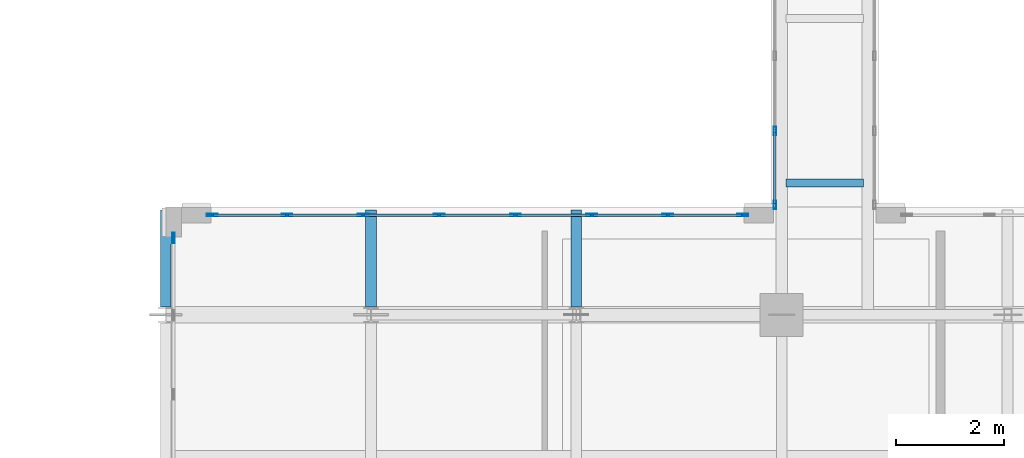
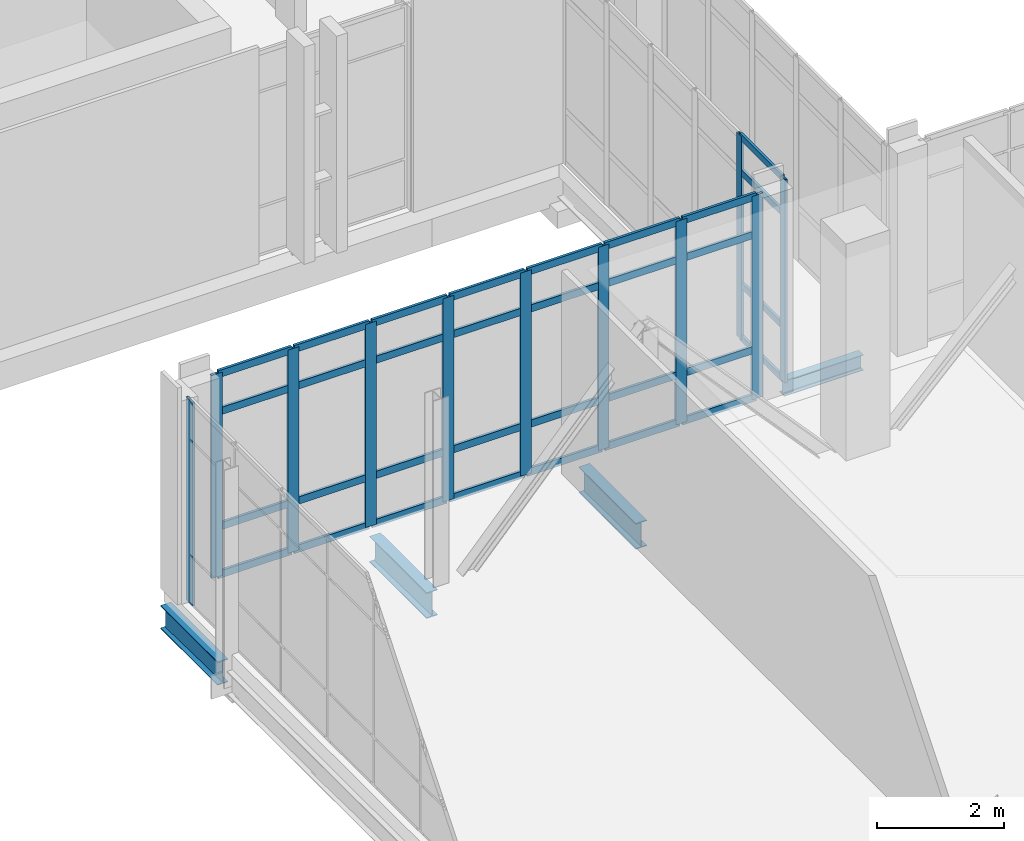
# One storey, part 19 of 165: 43 members, 4 beams, 3 elements without a shape of their own.
"""IFC4 building model written with IfcOpenShell, lengths in metres."""

import ifcopenshell
import ifcopenshell.guid

model = None  # the IFC model being written
_history = None  # IfcOwnerHistory: only IFC2X3 demands one
_inside = {}  # id of a spatial element -> (the spatial element, [elements in it])
_under = {}  # id of a project, library or spatial element -> (it, [spatial elements below it])
_declared = {}  # id of a project -> (the project, [libraries it declares])
_typed = {}  # id of a type object -> (the type object, [elements of that type])
_made_of = {}  # id of a material, layer set ... -> (it, [elements and type objects made of it])


def new_model(schema):
    """Start an empty IFC model of exactly this schema.

    Asked for "IFC4X3", IfcOpenShell would pick the latest addendum, in which some entities
    have other attributes; the version numbers below select the first issue.
    IFC2X3 requires an IfcOwnerHistory on every rooted entity: one is made here for all.
    """
    global model, _history
    if schema == "IFC4X3":
        model = ifcopenshell.file(schema_version=(4, 3, 0, 0))
    else:
        model = ifcopenshell.file(schema=schema)
    _inside.clear()
    _under.clear()
    _declared.clear()
    _typed.clear()
    _made_of.clear()
    _history = None
    if model.schema == "IFC2X3":
        org = make("IfcOrganization", Name="unknown")
        user = make(
            "IfcPersonAndOrganization",
            ThePerson=make("IfcPerson", FamilyName="unknown"),
            TheOrganization=org,
        )
        app = make(
            "IfcApplication",
            ApplicationDeveloper=org,
            Version="unknown",
            ApplicationFullName="unknown",
            ApplicationIdentifier="unknown",
        )
        _history = make(
            "IfcOwnerHistory",
            OwningUser=user,
            OwningApplication=app,
            ChangeAction="ADDED",
            CreationDate=0,
        )
    return model


def make(cls, **values):
    """One entity of the class cls with the attributes given. An attribute that is None is left unset."""
    return model.create_entity(
        cls, **{name: value for name, value in values.items() if value is not None}
    )


def rooted(cls, **values):
    """An entity with a GlobalId (a new one), such as an element, a storey or a relation."""
    return make(cls, GlobalId=ifcopenshell.guid.new(), OwnerHistory=_history, **values)


def si_unit(unit_type, name, prefix=None):
    """IfcSIUnit, for example si_unit("LENGTHUNIT", "METRE", prefix="MILLI")."""
    return make("IfcSIUnit", UnitType=unit_type, Prefix=prefix, Name=name)


def assignment(units):
    """IfcUnitAssignment: the units of a project."""
    return None if units is None else make("IfcUnitAssignment", Units=units)


def point(xyz):
    """IfcCartesianPoint."""
    return None if xyz is None else make("IfcCartesianPoint", Coordinates=xyz)


def direction(xyz):
    """IfcDirection."""
    return None if xyz is None else make("IfcDirection", DirectionRatios=xyz)


def frame(location, z_axis=None, x_axis=None):
    """IfcAxis2Placement3D, a coordinate frame: its origin and axes. An axis left out is left unset."""
    return make(
        "IfcAxis2Placement3D",
        Location=point(location),
        Axis=direction(z_axis),
        RefDirection=direction(x_axis),
    )


def frame_2d(location, x_axis=None):
    """IfcAxis2Placement2D, a coordinate frame in the plane: its origin and x axis."""
    return make(
        "IfcAxis2Placement2D", Location=point(location), RefDirection=direction(x_axis)
    )


def origin():
    """The frame at (0, 0, 0) with its axes left unset."""
    return frame((0.0, 0.0, 0.0))


def origin_2d():
    """The frame at (0, 0) in the plane with its x axis left unset."""
    return frame_2d((0.0, 0.0))


def place(relative_to, where):
    """IfcLocalPlacement: puts the frame where relative to a parent placement (None: the world)."""
    return make(
        "IfcLocalPlacement", PlacementRelTo=relative_to, RelativePlacement=where
    )


def context(
    kind, dimensions, precision=None, world=None, true_north=None, identifier=None
):
    """IfcGeometricRepresentationContext, for example the 3D "Model" context."""
    return make(
        "IfcGeometricRepresentationContext",
        ContextIdentifier=identifier,
        ContextType=kind,
        CoordinateSpaceDimension=dimensions,
        Precision=precision,
        WorldCoordinateSystem=world,
        TrueNorth=true_north,
    )


def subcontext(parent, identifier, kind, view, scale=None):
    """IfcGeometricRepresentationSubContext, for example "Body" below "Model"."""
    return make(
        "IfcGeometricRepresentationSubContext",
        ContextIdentifier=identifier,
        ContextType=kind,
        ParentContext=parent,
        TargetScale=scale,
        TargetView=view,
    )


def project(units=None, contexts=None):
    """IfcProject with its units and contexts."""
    return rooted(
        "IfcProject",
        Name="project",
        RepresentationContexts=contexts,
        UnitsInContext=assignment(units),
    )


def spatial(cls, under=None, at=None, **own):
    """A site, building, storey or space (cls), placed at a placement, below another one or the project."""
    s = rooted(cls, ObjectPlacement=at, **own)
    if under is not None:
        _under.setdefault(under.id(), (under, []))[1].append(s)
    return s


def profile(cls, at=None, kind="AREA", **sizes):
    """A parametric profile (cls). Its sizes go by their IFC names, for example OverallWidth=200.0."""
    return make(cls, ProfileType=kind, Position=at, **sizes)


def hollow_rectangle(**sizes):
    """IfcRectangleHollowProfileDef."""
    return profile("IfcRectangleHollowProfileDef", **sizes)


def i_section(**sizes):
    """IfcIShapeProfileDef."""
    return profile("IfcIShapeProfileDef", **sizes)


def extrude(swept, where, along, depth):
    """IfcExtrudedAreaSolid: the profile swept, set in the frame where, extruded along a direction by depth."""
    return make(
        "IfcExtrudedAreaSolid",
        SweptArea=swept,
        Position=where,
        ExtrudedDirection=direction(along),
        Depth=depth,
    )


def shape(context_of_items, identifier, shape_type, items):
    """IfcShapeRepresentation: the items that make up one representation, for example the "Body"."""
    return make(
        "IfcShapeRepresentation",
        ContextOfItems=context_of_items,
        RepresentationIdentifier=identifier,
        RepresentationType=shape_type,
        Items=items,
    )


def material(Name=None, Category=None):
    """IfcMaterial."""
    return make("IfcMaterial", Name=Name, Category=Category)


def layer(
    of_material, thickness, ventilated=None, Name=None, Category=None, Priority=None
):
    """IfcMaterialLayer: one layer of a wall or slab, of a material (None: an air gap)."""
    return make(
        "IfcMaterialLayer",
        Material=of_material,
        LayerThickness=thickness,
        IsVentilated=ventilated,
        Name=Name,
        Category=Category,
        Priority=Priority,
    )


def layer_set(layers, Name=None):
    """IfcMaterialLayerSet."""
    return make("IfcMaterialLayerSet", MaterialLayers=layers, LayerSetName=Name)


def material_profile(
    of_material, cross_section, Name=None, Category=None, Priority=None
):
    """IfcMaterialProfile: a cross section and its material."""
    return make(
        "IfcMaterialProfile",
        Name=Name,
        Material=of_material,
        Profile=cross_section,
        Priority=Priority,
        Category=Category,
    )


def profile_set(profiles, Name=None, composite=None):
    """IfcMaterialProfileSet."""
    return make(
        "IfcMaterialProfileSet",
        Name=Name,
        MaterialProfiles=profiles,
        CompositeProfile=composite,
    )


def made_of(thing, what):
    """Note that an element or type object is made of a material, layer set ...; save() writes the relation."""
    if what is not None:
        _made_of.setdefault(what.id(), (what, []))[1].append(thing)
    return thing


def type_object(cls, material=None, **own):
    """A type object (cls), such as IfcWallType, which elements share."""
    return made_of(rooted(cls, **own), material)


def element(
    cls,
    number,
    at=None,
    inside=None,
    cuts=None,
    type_object=None,
    material=None,
    context=None,
    identifier="Body",
    shape_type=None,
    held_by="IfcProductDefinitionShape",
    body=None,
    shapes=None,
    **own,
):
    """One element of the class cls, such as IfcWall. Its Tag is "e" and its number.

    at: its placement. inside: the storey or other place that contains it. cuts: it is an
    opening in that element (IfcRelVoidsElement). A single representation is given by context,
    identifier, shape_type and body (its items); several are given by shapes. held_by: the class
    of the entity that holds the representations. save() writes the other relations.
    """
    e = rooted(cls, Tag="e%d" % number, ObjectPlacement=at, **own)
    if body is not None:
        shapes = [shape(context, identifier, shape_type, body)]
    if shapes is not None:
        e.Representation = make(held_by, Representations=shapes)
    if inside is not None:
        _inside.setdefault(inside.id(), (inside, []))[1].append(e)
    if cuts is not None:
        rooted(
            "IfcRelVoidsElement", RelatingBuildingElement=cuts, RelatedOpeningElement=e
        )
    if type_object is not None:
        _typed.setdefault(type_object.id(), (type_object, []))[1].append(e)
    return made_of(e, material)


def aggregate(whole, parts):
    """IfcRelAggregates: a whole, such as a stair, and the parts it consists of."""
    return rooted("IfcRelAggregates", RelatingObject=whole, RelatedObjects=parts)


def save(model, path):
    """Write the relations noted so far, then the file.

    IfcRelAggregates (storeys below a building ...), IfcRelContainedInSpatialStructure (elements
    in a storey), IfcRelDefinesByType, IfcRelAssociatesMaterial and IfcRelDeclares: one each for
    every whole, place, type object, material and project.
    """
    for whole, parts in _under.values():
        aggregate(whole, parts)
    for where, things in _inside.values():
        rooted(
            "IfcRelContainedInSpatialStructure",
            RelatedElements=things,
            RelatingStructure=where,
        )
    for kind, things in _typed.values():
        rooted("IfcRelDefinesByType", RelatedObjects=things, RelatingType=kind)
    for what, things in _made_of.values():
        rooted("IfcRelAssociatesMaterial", RelatedObjects=things, RelatingMaterial=what)
    for by, libraries in _declared.values():
        rooted("IfcRelDeclares", RelatingContext=by, RelatedDefinitions=libraries)
    model.write(path)


model = new_model("IFC4")

# Units and contexts
model_context = context("Model", 3, precision=1e-05, world=origin(), true_north=direction((0.0, 1.0)))
body_context = subcontext(model_context, "Body", "Model", "MODEL_VIEW")
ifc_project = project(units=[si_unit("LENGTHUNIT", "METRE"), si_unit("AREAUNIT", "SQUARE_METRE"), si_unit("VOLUMEUNIT", "CUBIC_METRE"), si_unit("PLANEANGLEUNIT", "RADIAN"), si_unit("MASSUNIT", "GRAM", prefix="KILO")], contexts=[model_context])

# Site, building, storey
site_placement = place(None, origin())
site = spatial("IfcSite", under=ifc_project, at=site_placement, CompositionType="ELEMENT")
building_placement = place(site_placement, origin())
building = spatial("IfcBuilding", under=site, at=building_placement, Name="Qalavern Law Courts", CompositionType="ELEMENT")
storey_placement = place(building_placement, frame((0.0, 0.0, 14.39990234375)))
storey = spatial("IfcBuildingStorey", under=building, at=storey_placement, Name="L03", CompositionType="ELEMENT", Elevation=14.39990234375)

# Curtain wall, members
ifc_material_1 = material(Name="Anodised aluminium and insulated glazing", Category="aluminium")
ifc_layer_1 = layer(ifc_material_1, 0.14990234375)
ifc_layer_set_1 = layer_set([ifc_layer_1], Name="Anodised aluminium and insulated glazing")
curtain_wall_type_1 = type_object("IfcCurtainWallType", Name="ENV-CW-BRG", PredefinedType="USERDEFINED", material=ifc_layer_set_1)
curtain_wall_1_placement = place(storey_placement, origin())
curtain_wall_1 = element("IfcCurtainWall", 1, at=curtain_wall_1_placement, inside=storey, type_object=curtain_wall_type_1, Name="Bridge BR-V1-V3 glazed curtain wall L03-1", ObjectType="UNITISED CURTAIN WALL", PredefinedType="USERDEFINED")
ifc_material_2 = material(Name="Anodised aluminium", Category="aluminium")
ifc_material_profile_1 = material_profile(ifc_material_2, hollow_rectangle(XDim=0.048095703125, YDim=0.159912109375, WallThickness=0.00390625, at=origin_2d()), Name="ALU MULLION 48x160")
ifc_profile_set_1 = profile_set([ifc_material_profile_1], Name="Anodised aluminium")
member_type_1 = type_object("IfcMemberType", Name="ENV-CWM-48x160", PredefinedType="MULLION", material=ifc_profile_set_1)
member_1_placement = place(storey_placement, frame((16.675048828125, 35.416015625, 0.0), z_axis=(0.0, 0.0, 1.0), x_axis=(1.0, 0.0, 0.0)))
member_1 = element("IfcMember", 2, at=member_1_placement, type_object=member_type_1, Name="CW-06 mullion 5", PredefinedType="MULLION", context=body_context, shape_type="SweptSolid", body=[
    extrude(hollow_rectangle(XDim=0.048095703125, YDim=0.159912109375, WallThickness=0.00390625, at=origin_2d()), origin(), (0.0, 0.0, 1.0), 3.920166015625),
])
member_2_placement = place(storey_placement, frame((16.675048828125, 34.0439453125, 0.0), z_axis=(0.0, 0.0, 1.0), x_axis=(1.0, 0.0, 0.0)))
member_2 = element("IfcMember", 3, at=member_2_placement, type_object=member_type_1, Name="CW-06 mullion 6", PredefinedType="MULLION", context=body_context, shape_type="SweptSolid", body=[
    extrude(hollow_rectangle(XDim=0.048095703125, YDim=0.159912109375, WallThickness=0.00390625, at=origin_2d()), origin(), (0.0, 0.0, 1.0), 3.920166015625),
])

ifc_layer_2 = layer(ifc_material_1, 0.199951171875)
ifc_layer_set_2 = layer_set([ifc_layer_2], Name="Anodised aluminium and insulated glazing")
curtain_wall_type_2 = type_object("IfcCurtainWallType", Name="ENV-CW-FOYER", PredefinedType="USERDEFINED", material=ifc_layer_set_2)
curtain_wall_2_placement = place(storey_placement, origin())
curtain_wall_2 = element("IfcCurtainWall", 4, at=curtain_wall_2_placement, inside=storey, type_object=curtain_wall_type_2, Name="V1 unitised curtain wall L03 north 1", ObjectType="UNITISED CURTAIN WALL", PredefinedType="USERDEFINED")
ifc_material_profile_2 = material_profile(ifc_material_2, hollow_rectangle(XDim=0.048095703125, YDim=0.199951171875, WallThickness=0.00439453125, at=origin_2d()), Name="ALU MULLION 48x200")
ifc_profile_set_2 = profile_set([ifc_material_profile_2], Name="Anodised aluminium")
member_type_2 = type_object("IfcMemberType", Name="ENV-CWM-48x200", PredefinedType="MULLION", material=ifc_profile_set_2)
member_3_placement = place(storey_placement, frame((16.075927734375, 33.8525390625, 0.0), z_axis=(0.0, 0.0, 1.0), x_axis=(0.0, -1.0, 0.0)))
member_3 = element("IfcMember", 5, at=member_3_placement, type_object=member_type_2, Name="CW-01 mullion 1", PredefinedType="MULLION", context=body_context, shape_type="SweptSolid", body=[
    extrude(hollow_rectangle(XDim=0.048095703125, YDim=0.199951171875, WallThickness=0.00439453125, at=origin_2d()), origin(), (0.0, 0.0, 1.0), 3.920166015625),
])
member_4_placement = place(storey_placement, frame((14.684326171875, 33.8525390625, 0.0), z_axis=(0.0, 0.0, 1.0), x_axis=(0.0, -1.0, 0.0)))
member_4 = element("IfcMember", 6, at=member_4_placement, type_object=member_type_2, Name="CW-01 mullion 2", PredefinedType="MULLION", context=body_context, shape_type="SweptSolid", body=[
    extrude(hollow_rectangle(XDim=0.048095703125, YDim=0.199951171875, WallThickness=0.00439453125, at=origin_2d()), origin(), (0.0, 0.0, 1.0), 3.920166015625),
])
member_5_placement = place(storey_placement, frame((13.2685546875, 33.8525390625, 0.0), z_axis=(0.0, 0.0, 1.0), x_axis=(0.0, -1.0, 0.0)))
member_5 = element("IfcMember", 7, at=member_5_placement, type_object=member_type_2, Name="CW-01 mullion 3", PredefinedType="MULLION", context=body_context, shape_type="SweptSolid", body=[
    extrude(hollow_rectangle(XDim=0.048095703125, YDim=0.199951171875, WallThickness=0.00439453125, at=origin_2d()), origin(), (0.0, 0.0, 1.0), 3.920166015625),
])
member_6_placement = place(storey_placement, frame((11.852783203125, 33.8525390625, 0.0), z_axis=(0.0, 0.0, 1.0), x_axis=(0.0, -1.0, 0.0)))
member_6 = element("IfcMember", 8, at=member_6_placement, type_object=member_type_2, Name="CW-01 mullion 4", PredefinedType="MULLION", context=body_context, shape_type="SweptSolid", body=[
    extrude(hollow_rectangle(XDim=0.048095703125, YDim=0.199951171875, WallThickness=0.00439453125, at=origin_2d()), origin(), (0.0, 0.0, 1.0), 3.920166015625),
])
member_7_placement = place(storey_placement, frame((10.437255859375, 33.8525390625, 0.0), z_axis=(0.0, 0.0, 1.0), x_axis=(0.0, -1.0, 0.0)))
member_7 = element("IfcMember", 9, at=member_7_placement, type_object=member_type_2, Name="CW-01 mullion 5", PredefinedType="MULLION", context=body_context, shape_type="SweptSolid", body=[
    extrude(hollow_rectangle(XDim=0.048095703125, YDim=0.199951171875, WallThickness=0.00439453125, at=origin_2d()), origin(), (0.0, 0.0, 1.0), 3.920166015625),
])
member_8_placement = place(storey_placement, frame((9.021484375, 33.8525390625, 0.0), z_axis=(0.0, 0.0, 1.0), x_axis=(0.0, -1.0, 0.0)))
member_8 = element("IfcMember", 10, at=member_8_placement, type_object=member_type_2, Name="CW-01 mullion 6", PredefinedType="MULLION", context=body_context, shape_type="SweptSolid", body=[
    extrude(hollow_rectangle(XDim=0.048095703125, YDim=0.199951171875, WallThickness=0.00439453125, at=origin_2d()), origin(), (0.0, 0.0, 1.0), 3.920166015625),
])
member_9_placement = place(storey_placement, frame((7.605712890625, 33.8525390625, 0.0), z_axis=(0.0, 0.0, 1.0), x_axis=(0.0, -1.0, 0.0)))
member_9 = element("IfcMember", 11, at=member_9_placement, type_object=member_type_2, Name="CW-01 mullion 7", PredefinedType="MULLION", context=body_context, shape_type="SweptSolid", body=[
    extrude(hollow_rectangle(XDim=0.048095703125, YDim=0.199951171875, WallThickness=0.00439453125, at=origin_2d()), origin(), (0.0, 0.0, 1.0), 3.920166015625),
])
member_10_placement = place(storey_placement, frame((6.214111328125, 33.8525390625, 0.0), z_axis=(0.0, 0.0, 1.0), x_axis=(0.0, -1.0, 0.0)))
member_10 = element("IfcMember", 12, at=member_10_placement, type_object=member_type_2, Name="CW-01 mullion 8", PredefinedType="MULLION", context=body_context, shape_type="SweptSolid", body=[
    extrude(hollow_rectangle(XDim=0.048095703125, YDim=0.199951171875, WallThickness=0.00439453125, at=origin_2d()), origin(), (0.0, 0.0, 1.0), 3.920166015625),
])

# Curtain wall, member
curtain_wall_3_placement = place(storey_placement, origin())
curtain_wall_3 = element("IfcCurtainWall", 13, at=curtain_wall_3_placement, inside=storey, type_object=curtain_wall_type_2, Name="V1 unitised curtain wall L03 west 1", ObjectType="UNITISED CURTAIN WALL", PredefinedType="USERDEFINED")
member_11_placement = place(storey_placement, frame((5.49755859375, 33.426025390625, 0.0), z_axis=(0.0, 0.0, 1.0), x_axis=(1.0, 0.0, 0.0)))
member_11 = element("IfcMember", 14, at=member_11_placement, type_object=member_type_2, Name="CW-01 mullion 1", PredefinedType="MULLION", context=body_context, shape_type="SweptSolid", body=[
    extrude(hollow_rectangle(XDim=0.048095703125, YDim=0.199951171875, WallThickness=0.00439453125, at=origin_2d()), origin(), (0.0, 0.0, 1.0), 3.920166015625),
])
aggregate(curtain_wall_3, [member_11])

# Member
ifc_material_profile_3 = material_profile(ifc_material_2, hollow_rectangle(XDim=0.048095703125, YDim=0.1201171875, WallThickness=0.00390625, at=origin_2d()), Name="ALU TRANSOM 48x120")
ifc_profile_set_3 = profile_set([ifc_material_profile_3], Name="Anodised aluminium")
member_type_3 = type_object("IfcMemberType", Name="ENV-CWT-48x120", PredefinedType="USERDEFINED", material=ifc_profile_set_3)
member_12_placement = place(storey_placement, frame((16.675048828125, 35.39208984375, 0.024169921875), z_axis=(0.0, -1.0, 0.0), x_axis=(1.0, 0.0, 0.0)))
member_12 = element("IfcMember", 15, at=member_12_placement, type_object=member_type_3, Name="CW-06 transom 5.1", ObjectType="TRANSOM", PredefinedType="USERDEFINED", context=body_context, shape_type="SweptSolid", body=[
    extrude(hollow_rectangle(XDim=0.048095703125, YDim=0.1201171875, WallThickness=0.00390625, at=origin_2d()), origin(), (0.0, 0.0, 1.0), 1.323974609375),
])

member_13_placement = place(storey_placement, frame((16.675048828125, 35.39208984375, 1.050048828125), z_axis=(0.0, -1.0, 0.0), x_axis=(1.0, 0.0, 0.0)))
member_13 = element("IfcMember", 16, at=member_13_placement, type_object=member_type_3, Name="CW-06 transom 5.2", ObjectType="TRANSOM", PredefinedType="USERDEFINED", context=body_context, shape_type="SweptSolid", body=[
    extrude(hollow_rectangle(XDim=0.048095703125, YDim=0.1201171875, WallThickness=0.00390625, at=origin_2d()), origin(), (0.0, 0.0, 1.0), 1.323974609375),
])

member_14_placement = place(storey_placement, frame((16.675048828125, 35.39208984375, 3.22021484375), z_axis=(0.0, -1.0, 0.0), x_axis=(1.0, 0.0, 0.0)))
member_14 = element("IfcMember", 17, at=member_14_placement, type_object=member_type_3, Name="CW-06 transom 5.3", ObjectType="TRANSOM", PredefinedType="USERDEFINED", context=body_context, shape_type="SweptSolid", body=[
    extrude(hollow_rectangle(XDim=0.048095703125, YDim=0.1201171875, WallThickness=0.00390625, at=origin_2d()), origin(), (0.0, 0.0, 1.0), 1.323974609375),
])

member_15_placement = place(storey_placement, frame((16.675048828125, 35.39208984375, 3.89599609375), z_axis=(0.0, -1.0, 0.0), x_axis=(1.0, 0.0, 0.0)))
member_15 = element("IfcMember", 18, at=member_15_placement, type_object=member_type_3, Name="CW-06 transom 5.4", ObjectType="TRANSOM", PredefinedType="USERDEFINED", context=body_context, shape_type="SweptSolid", body=[
    extrude(hollow_rectangle(XDim=0.048095703125, YDim=0.1201171875, WallThickness=0.00390625, at=origin_2d()), origin(), (0.0, 0.0, 1.0), 1.323974609375),
])

aggregate(curtain_wall_1, [member_1, member_2, member_12, member_13, member_14, member_15])

ifc_material_profile_4 = material_profile(ifc_material_2, hollow_rectangle(XDim=0.048095703125, YDim=0.139892578125, WallThickness=0.00390625, at=origin_2d()), Name="ALU TRANSOM 48x140")
ifc_profile_set_4 = profile_set([ifc_material_profile_4], Name="Anodised aluminium")
member_type_4 = type_object("IfcMemberType", Name="ENV-CWT-48x140", PredefinedType="USERDEFINED", material=ifc_profile_set_4)
member_16_placement = place(storey_placement, frame((16.052001953125, 33.8525390625, 0.024169921875), z_axis=(-1.0, 0.0, 0.0), x_axis=(0.0, -1.0, 0.0)))
member_16 = element("IfcMember", 19, at=member_16_placement, type_object=member_type_4, Name="CW-01 transom 1.1", ObjectType="TRANSOM", PredefinedType="USERDEFINED", context=body_context, shape_type="SweptSolid", body=[
    extrude(hollow_rectangle(XDim=0.048095703125, YDim=0.139892578125, WallThickness=0.00390625, at=origin_2d()), origin(), (0.0, 0.0, 1.0), 1.34375),
])

member_17_placement = place(storey_placement, frame((16.052001953125, 33.8525390625, 0.9501953125), z_axis=(-1.0, 0.0, 0.0), x_axis=(0.0, -1.0, 0.0)))
member_17 = element("IfcMember", 20, at=member_17_placement, type_object=member_type_4, Name="CW-01 transom 1.2", ObjectType="TRANSOM", PredefinedType="USERDEFINED", context=body_context, shape_type="SweptSolid", body=[
    extrude(hollow_rectangle(XDim=0.048095703125, YDim=0.139892578125, WallThickness=0.00390625, at=origin_2d()), origin(), (0.0, 0.0, 1.0), 1.34375),
])

member_18_placement = place(storey_placement, frame((16.052001953125, 33.8525390625, 3.170166015625), z_axis=(-1.0, 0.0, 0.0), x_axis=(0.0, -1.0, 0.0)))
member_18 = element("IfcMember", 21, at=member_18_placement, type_object=member_type_4, Name="CW-01 transom 1.3", ObjectType="TRANSOM", PredefinedType="USERDEFINED", context=body_context, shape_type="SweptSolid", body=[
    extrude(hollow_rectangle(XDim=0.048095703125, YDim=0.139892578125, WallThickness=0.00390625, at=origin_2d()), origin(), (0.0, 0.0, 1.0), 1.34375),
])

member_19_placement = place(storey_placement, frame((16.052001953125, 33.8525390625, 3.89599609375), z_axis=(-1.0, 0.0, 0.0), x_axis=(0.0, -1.0, 0.0)))
member_19 = element("IfcMember", 22, at=member_19_placement, type_object=member_type_4, Name="CW-01 transom 1.4", ObjectType="TRANSOM", PredefinedType="USERDEFINED", context=body_context, shape_type="SweptSolid", body=[
    extrude(hollow_rectangle(XDim=0.048095703125, YDim=0.139892578125, WallThickness=0.00390625, at=origin_2d()), origin(), (0.0, 0.0, 1.0), 1.34375),
])

member_20_placement = place(storey_placement, frame((14.660400390625, 33.8525390625, 0.024169921875), z_axis=(-1.0, 0.0, 0.0), x_axis=(0.0, -1.0, 0.0)))
member_20 = element("IfcMember", 23, at=member_20_placement, type_object=member_type_4, Name="CW-01 transom 2.1", ObjectType="TRANSOM", PredefinedType="USERDEFINED", context=body_context, shape_type="SweptSolid", body=[
    extrude(hollow_rectangle(XDim=0.048095703125, YDim=0.139892578125, WallThickness=0.00390625, at=origin_2d()), origin(), (0.0, 0.0, 1.0), 1.367919921875),
])

member_21_placement = place(storey_placement, frame((14.660400390625, 33.8525390625, 0.9501953125), z_axis=(-1.0, 0.0, 0.0), x_axis=(0.0, -1.0, 0.0)))
member_21 = element("IfcMember", 24, at=member_21_placement, type_object=member_type_4, Name="CW-01 transom 2.2", ObjectType="TRANSOM", PredefinedType="USERDEFINED", context=body_context, shape_type="SweptSolid", body=[
    extrude(hollow_rectangle(XDim=0.048095703125, YDim=0.139892578125, WallThickness=0.00390625, at=origin_2d()), origin(), (0.0, 0.0, 1.0), 1.367919921875),
])

member_22_placement = place(storey_placement, frame((14.660400390625, 33.8525390625, 3.170166015625), z_axis=(-1.0, 0.0, 0.0), x_axis=(0.0, -1.0, 0.0)))
member_22 = element("IfcMember", 25, at=member_22_placement, type_object=member_type_4, Name="CW-01 transom 2.3", ObjectType="TRANSOM", PredefinedType="USERDEFINED", context=body_context, shape_type="SweptSolid", body=[
    extrude(hollow_rectangle(XDim=0.048095703125, YDim=0.139892578125, WallThickness=0.00390625, at=origin_2d()), origin(), (0.0, 0.0, 1.0), 1.367919921875),
])

member_23_placement = place(storey_placement, frame((14.660400390625, 33.8525390625, 3.89599609375), z_axis=(-1.0, 0.0, 0.0), x_axis=(0.0, -1.0, 0.0)))
member_23 = element("IfcMember", 26, at=member_23_placement, type_object=member_type_4, Name="CW-01 transom 2.4", ObjectType="TRANSOM", PredefinedType="USERDEFINED", context=body_context, shape_type="SweptSolid", body=[
    extrude(hollow_rectangle(XDim=0.048095703125, YDim=0.139892578125, WallThickness=0.00390625, at=origin_2d()), origin(), (0.0, 0.0, 1.0), 1.367919921875),
])

member_24_placement = place(storey_placement, frame((13.24462890625, 33.8525390625, 0.024169921875), z_axis=(-1.0, 0.0, 0.0), x_axis=(0.0, -1.0, 0.0)))
member_24 = element("IfcMember", 27, at=member_24_placement, type_object=member_type_4, Name="CW-01 transom 3.1", ObjectType="TRANSOM", PredefinedType="USERDEFINED", context=body_context, shape_type="SweptSolid", body=[
    extrude(hollow_rectangle(XDim=0.048095703125, YDim=0.139892578125, WallThickness=0.00390625, at=origin_2d()), origin(), (0.0, 0.0, 1.0), 1.36767578125),
])

member_25_placement = place(storey_placement, frame((13.24462890625, 33.8525390625, 0.9501953125), z_axis=(-1.0, 0.0, 0.0), x_axis=(0.0, -1.0, 0.0)))
member_25 = element("IfcMember", 28, at=member_25_placement, type_object=member_type_4, Name="CW-01 transom 3.2", ObjectType="TRANSOM", PredefinedType="USERDEFINED", context=body_context, shape_type="SweptSolid", body=[
    extrude(hollow_rectangle(XDim=0.048095703125, YDim=0.139892578125, WallThickness=0.00390625, at=origin_2d()), origin(), (0.0, 0.0, 1.0), 1.36767578125),
])

member_26_placement = place(storey_placement, frame((13.24462890625, 33.8525390625, 3.170166015625), z_axis=(-1.0, 0.0, 0.0), x_axis=(0.0, -1.0, 0.0)))
member_26 = element("IfcMember", 29, at=member_26_placement, type_object=member_type_4, Name="CW-01 transom 3.3", ObjectType="TRANSOM", PredefinedType="USERDEFINED", context=body_context, shape_type="SweptSolid", body=[
    extrude(hollow_rectangle(XDim=0.048095703125, YDim=0.139892578125, WallThickness=0.00390625, at=origin_2d()), origin(), (0.0, 0.0, 1.0), 1.36767578125),
])

member_27_placement = place(storey_placement, frame((13.24462890625, 33.8525390625, 3.89599609375), z_axis=(-1.0, 0.0, 0.0), x_axis=(0.0, -1.0, 0.0)))
member_27 = element("IfcMember", 30, at=member_27_placement, type_object=member_type_4, Name="CW-01 transom 3.4", ObjectType="TRANSOM", PredefinedType="USERDEFINED", context=body_context, shape_type="SweptSolid", body=[
    extrude(hollow_rectangle(XDim=0.048095703125, YDim=0.139892578125, WallThickness=0.00390625, at=origin_2d()), origin(), (0.0, 0.0, 1.0), 1.36767578125),
])

member_28_placement = place(storey_placement, frame((11.828857421875, 33.8525390625, 0.024169921875), z_axis=(-1.0, 0.0, 0.0), x_axis=(0.0, -1.0, 0.0)))
member_28 = element("IfcMember", 31, at=member_28_placement, type_object=member_type_4, Name="CW-01 transom 4.1", ObjectType="TRANSOM", PredefinedType="USERDEFINED", context=body_context, shape_type="SweptSolid", body=[
    extrude(hollow_rectangle(XDim=0.048095703125, YDim=0.139892578125, WallThickness=0.00390625, at=origin_2d()), origin(), (0.0, 0.0, 1.0), 1.36767578125),
])

member_29_placement = place(storey_placement, frame((11.828857421875, 33.8525390625, 0.9501953125), z_axis=(-1.0, 0.0, 0.0), x_axis=(0.0, -1.0, 0.0)))
member_29 = element("IfcMember", 32, at=member_29_placement, type_object=member_type_4, Name="CW-01 transom 4.2", ObjectType="TRANSOM", PredefinedType="USERDEFINED", context=body_context, shape_type="SweptSolid", body=[
    extrude(hollow_rectangle(XDim=0.048095703125, YDim=0.139892578125, WallThickness=0.00390625, at=origin_2d()), origin(), (0.0, 0.0, 1.0), 1.36767578125),
])

member_30_placement = place(storey_placement, frame((11.828857421875, 33.8525390625, 3.170166015625), z_axis=(-1.0, 0.0, 0.0), x_axis=(0.0, -1.0, 0.0)))
member_30 = element("IfcMember", 33, at=member_30_placement, type_object=member_type_4, Name="CW-01 transom 4.3", ObjectType="TRANSOM", PredefinedType="USERDEFINED", context=body_context, shape_type="SweptSolid", body=[
    extrude(hollow_rectangle(XDim=0.048095703125, YDim=0.139892578125, WallThickness=0.00390625, at=origin_2d()), origin(), (0.0, 0.0, 1.0), 1.36767578125),
])

member_31_placement = place(storey_placement, frame((11.828857421875, 33.8525390625, 3.89599609375), z_axis=(-1.0, 0.0, 0.0), x_axis=(0.0, -1.0, 0.0)))
member_31 = element("IfcMember", 34, at=member_31_placement, type_object=member_type_4, Name="CW-01 transom 4.4", ObjectType="TRANSOM", PredefinedType="USERDEFINED", context=body_context, shape_type="SweptSolid", body=[
    extrude(hollow_rectangle(XDim=0.048095703125, YDim=0.139892578125, WallThickness=0.00390625, at=origin_2d()), origin(), (0.0, 0.0, 1.0), 1.36767578125),
])

member_32_placement = place(storey_placement, frame((10.4130859375, 33.8525390625, 0.024169921875), z_axis=(-1.0, 0.0, 0.0), x_axis=(0.0, -1.0, 0.0)))
member_32 = element("IfcMember", 35, at=member_32_placement, type_object=member_type_4, Name="CW-01 transom 5.1", ObjectType="TRANSOM", PredefinedType="USERDEFINED", context=body_context, shape_type="SweptSolid", body=[
    extrude(hollow_rectangle(XDim=0.048095703125, YDim=0.139892578125, WallThickness=0.00390625, at=origin_2d()), origin(), (0.0, 0.0, 1.0), 1.36767578125),
])

member_33_placement = place(storey_placement, frame((10.4130859375, 33.8525390625, 0.9501953125), z_axis=(-1.0, 0.0, 0.0), x_axis=(0.0, -1.0, 0.0)))
member_33 = element("IfcMember", 36, at=member_33_placement, type_object=member_type_4, Name="CW-01 transom 5.2", ObjectType="TRANSOM", PredefinedType="USERDEFINED", context=body_context, shape_type="SweptSolid", body=[
    extrude(hollow_rectangle(XDim=0.048095703125, YDim=0.139892578125, WallThickness=0.00390625, at=origin_2d()), origin(), (0.0, 0.0, 1.0), 1.36767578125),
])

member_34_placement = place(storey_placement, frame((10.4130859375, 33.8525390625, 3.170166015625), z_axis=(-1.0, 0.0, 0.0), x_axis=(0.0, -1.0, 0.0)))
member_34 = element("IfcMember", 37, at=member_34_placement, type_object=member_type_4, Name="CW-01 transom 5.3", ObjectType="TRANSOM", PredefinedType="USERDEFINED", context=body_context, shape_type="SweptSolid", body=[
    extrude(hollow_rectangle(XDim=0.048095703125, YDim=0.139892578125, WallThickness=0.00390625, at=origin_2d()), origin(), (0.0, 0.0, 1.0), 1.36767578125),
])

member_35_placement = place(storey_placement, frame((10.4130859375, 33.8525390625, 3.89599609375), z_axis=(-1.0, 0.0, 0.0), x_axis=(0.0, -1.0, 0.0)))
member_35 = element("IfcMember", 38, at=member_35_placement, type_object=member_type_4, Name="CW-01 transom 5.4", ObjectType="TRANSOM", PredefinedType="USERDEFINED", context=body_context, shape_type="SweptSolid", body=[
    extrude(hollow_rectangle(XDim=0.048095703125, YDim=0.139892578125, WallThickness=0.00390625, at=origin_2d()), origin(), (0.0, 0.0, 1.0), 1.36767578125),
])

member_36_placement = place(storey_placement, frame((8.997314453125, 33.8525390625, 0.024169921875), z_axis=(-1.0, 0.0, 0.0), x_axis=(0.0, -1.0, 0.0)))
member_36 = element("IfcMember", 39, at=member_36_placement, type_object=member_type_4, Name="CW-01 transom 6.1", ObjectType="TRANSOM", PredefinedType="USERDEFINED", context=body_context, shape_type="SweptSolid", body=[
    extrude(hollow_rectangle(XDim=0.048095703125, YDim=0.139892578125, WallThickness=0.00390625, at=origin_2d()), origin(), (0.0, 0.0, 1.0), 1.36767578125),
])

member_37_placement = place(storey_placement, frame((8.997314453125, 33.8525390625, 0.9501953125), z_axis=(-1.0, 0.0, 0.0), x_axis=(0.0, -1.0, 0.0)))
member_37 = element("IfcMember", 40, at=member_37_placement, type_object=member_type_4, Name="CW-01 transom 6.2", ObjectType="TRANSOM", PredefinedType="USERDEFINED", context=body_context, shape_type="SweptSolid", body=[
    extrude(hollow_rectangle(XDim=0.048095703125, YDim=0.139892578125, WallThickness=0.00390625, at=origin_2d()), origin(), (0.0, 0.0, 1.0), 1.36767578125),
])

member_38_placement = place(storey_placement, frame((8.997314453125, 33.8525390625, 3.170166015625), z_axis=(-1.0, 0.0, 0.0), x_axis=(0.0, -1.0, 0.0)))
member_38 = element("IfcMember", 41, at=member_38_placement, type_object=member_type_4, Name="CW-01 transom 6.3", ObjectType="TRANSOM", PredefinedType="USERDEFINED", context=body_context, shape_type="SweptSolid", body=[
    extrude(hollow_rectangle(XDim=0.048095703125, YDim=0.139892578125, WallThickness=0.00390625, at=origin_2d()), origin(), (0.0, 0.0, 1.0), 1.36767578125),
])

member_39_placement = place(storey_placement, frame((8.997314453125, 33.8525390625, 3.89599609375), z_axis=(-1.0, 0.0, 0.0), x_axis=(0.0, -1.0, 0.0)))
member_39 = element("IfcMember", 42, at=member_39_placement, type_object=member_type_4, Name="CW-01 transom 6.4", ObjectType="TRANSOM", PredefinedType="USERDEFINED", context=body_context, shape_type="SweptSolid", body=[
    extrude(hollow_rectangle(XDim=0.048095703125, YDim=0.139892578125, WallThickness=0.00390625, at=origin_2d()), origin(), (0.0, 0.0, 1.0), 1.36767578125),
])

member_40_placement = place(storey_placement, frame((7.581787109375, 33.8525390625, 0.024169921875), z_axis=(-1.0, 0.0, 0.0), x_axis=(0.0, -1.0, 0.0)))
member_40 = element("IfcMember", 43, at=member_40_placement, type_object=member_type_4, Name="CW-01 transom 7.1", ObjectType="TRANSOM", PredefinedType="USERDEFINED", context=body_context, shape_type="SweptSolid", body=[
    extrude(hollow_rectangle(XDim=0.048095703125, YDim=0.139892578125, WallThickness=0.00390625, at=origin_2d()), origin(), (0.0, 0.0, 1.0), 1.34375),
])

member_41_placement = place(storey_placement, frame((7.581787109375, 33.8525390625, 0.9501953125), z_axis=(-1.0, 0.0, 0.0), x_axis=(0.0, -1.0, 0.0)))
member_41 = element("IfcMember", 44, at=member_41_placement, type_object=member_type_4, Name="CW-01 transom 7.2", ObjectType="TRANSOM", PredefinedType="USERDEFINED", context=body_context, shape_type="SweptSolid", body=[
    extrude(hollow_rectangle(XDim=0.048095703125, YDim=0.139892578125, WallThickness=0.00390625, at=origin_2d()), origin(), (0.0, 0.0, 1.0), 1.34375),
])

member_42_placement = place(storey_placement, frame((7.581787109375, 33.8525390625, 3.170166015625), z_axis=(-1.0, 0.0, 0.0), x_axis=(0.0, -1.0, 0.0)))
member_42 = element("IfcMember", 45, at=member_42_placement, type_object=member_type_4, Name="CW-01 transom 7.3", ObjectType="TRANSOM", PredefinedType="USERDEFINED", context=body_context, shape_type="SweptSolid", body=[
    extrude(hollow_rectangle(XDim=0.048095703125, YDim=0.139892578125, WallThickness=0.00390625, at=origin_2d()), origin(), (0.0, 0.0, 1.0), 1.34375),
])

member_43_placement = place(storey_placement, frame((7.581787109375, 33.8525390625, 3.89599609375), z_axis=(-1.0, 0.0, 0.0), x_axis=(0.0, -1.0, 0.0)))
member_43 = element("IfcMember", 46, at=member_43_placement, type_object=member_type_4, Name="CW-01 transom 7.4", ObjectType="TRANSOM", PredefinedType="USERDEFINED", context=body_context, shape_type="SweptSolid", body=[
    extrude(hollow_rectangle(XDim=0.048095703125, YDim=0.139892578125, WallThickness=0.00390625, at=origin_2d()), origin(), (0.0, 0.0, 1.0), 1.34375),
])

aggregate(curtain_wall_2, [member_3, member_4, member_5, member_6, member_7, member_8, member_9, member_10, member_16, member_17, member_18, member_19, member_20, member_21, member_22, member_23, member_24, member_25, member_26, member_27, member_28, member_29, member_30, member_31, member_32, member_33, member_34, member_35, member_36, member_37, member_38, member_39, member_40, member_41, member_42, member_43])

# Beams
ifc_material_3 = material(Name="Steel S355", Category="steel")
ifc_material_profile_5 = material_profile(ifc_material_3, i_section(OverallWidth=0.199951171875, OverallDepth=0.5, WebThickness=0.01025390625, FlangeThickness=0.01611328125, FilletRadius=0.02099609375, at=origin_2d()), Name="IPE 500")
ifc_profile_set_5 = profile_set([ifc_material_profile_5], Name="Steel S355")
beam_type_1 = type_object("IfcBeamType", Name="STR-BM-IPE500", PredefinedType="BEAM", material=ifc_profile_set_5)
for number, where, z_axis, x_axis, name in (
    (47, (12.9833984375, 32.14794921875, -0.534912109375), (0.0, 1.0, 0.0), (-1.0, 0.0, 0.0), "Foyer transverse beam L03-6.4"),
    (48, (9.166748046875, 32.14794921875, -0.534912109375), (0.0, 1.0, 0.0), (-1.0, 0.0, 0.0), "Foyer transverse beam L03-7.4"),
):
    element("IfcBeam", number, at=place(storey_placement, frame(where, z_axis=z_axis, x_axis=x_axis)), inside=storey, type_object=beam_type_1, Name=name, PredefinedType="BEAM", context=body_context, shape_type="SweptSolid", body=[
        extrude(i_section(OverallWidth=0.199951171875, OverallDepth=0.5, WebThickness=0.01025390625, FlangeThickness=0.01611328125, FilletRadius=0.02099609375, at=origin_2d()), origin(), (0.0, 0.0, 1.0), 1.802001953125),
    ])
ifc_material_profile_6 = material_profile(ifc_material_3, i_section(OverallWidth=0.14990234375, OverallDepth=0.300048828125, WebThickness=0.007080078125, FlangeThickness=0.0107421875, FilletRadius=0.014892578125, at=origin_2d()), Name="IPE 300")
ifc_profile_set_6 = profile_set([ifc_material_profile_6], Name="Steel S355")
beam_type_2 = type_object("IfcBeamType", Name="STR-JST-IPE300", PredefinedType="JOIST", material=ifc_profile_set_6)
beam_1_placement = place(storey_placement, frame((16.8798828125, 34.449951171875, -0.434814453125), z_axis=(1.0, 0.0, 0.0), x_axis=(0.0, 1.0, 0.0)))
element("IfcBeam", 49, at=beam_1_placement, inside=storey, type_object=beam_type_2, Name="Bridge BR-V1-V3 cross beam 1 L03", PredefinedType="JOIST", context=body_context, shape_type="SweptSolid", body=[
    extrude(i_section(OverallWidth=0.14990234375, OverallDepth=0.300048828125, WebThickness=0.007080078125, FlangeThickness=0.0107421875, FilletRadius=0.014892578125, at=origin_2d()), origin(), (0.0, 0.0, 1.0), 1.440185546875),
])
ifc_material_profile_7 = material_profile(ifc_material_3, i_section(OverallWidth=0.18994140625, OverallDepth=0.449951171875, WebThickness=0.009521484375, FlangeThickness=0.0146484375, FilletRadius=0.02099609375, at=origin_2d()), Name="IPE 450")
ifc_profile_set_7 = profile_set([ifc_material_profile_7], Name="Steel S355")
beam_type_3 = type_object("IfcBeamType", Name="STR-SP-IPE450", PredefinedType="SPANDREL", material=ifc_profile_set_7)
beam_2_placement = place(storey_placement, frame((5.35009765625, 32.14794921875, -0.510009765625), z_axis=(0.0, 1.0, 0.0), x_axis=(-1.0, 0.0, 0.0)))
element("IfcBeam", 50, at=beam_2_placement, inside=storey, type_object=beam_type_3, Name="Foyer transverse beam L03-8.4", PredefinedType="SPANDREL", context=body_context, shape_type="SweptSolid", body=[
    extrude(i_section(OverallWidth=0.18994140625, OverallDepth=0.449951171875, WebThickness=0.009521484375, FlangeThickness=0.0146484375, FilletRadius=0.02099609375, at=origin_2d()), origin(), (0.0, 0.0, 1.0), 1.802001953125),
])

save(model, "model.ifc")
